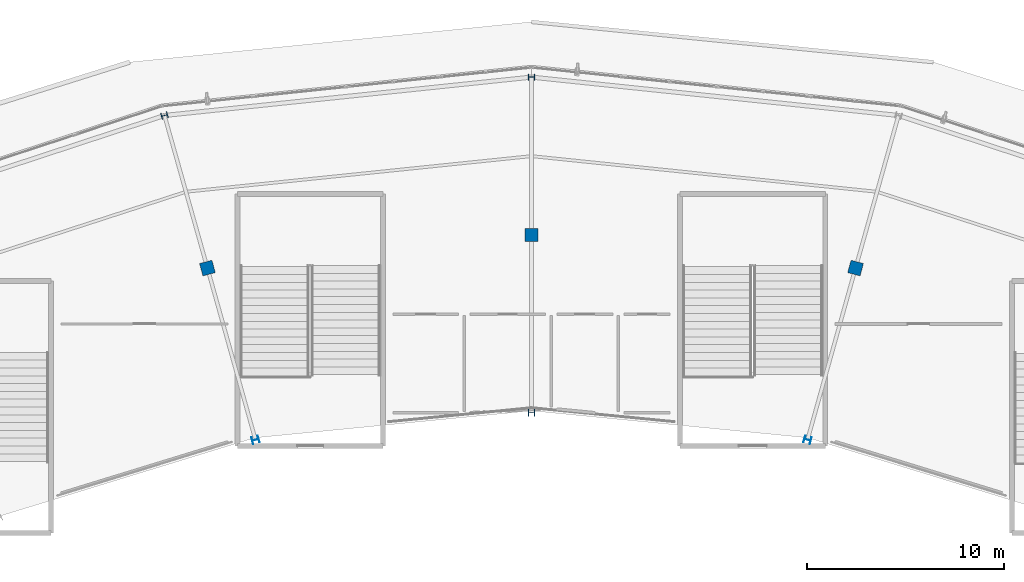
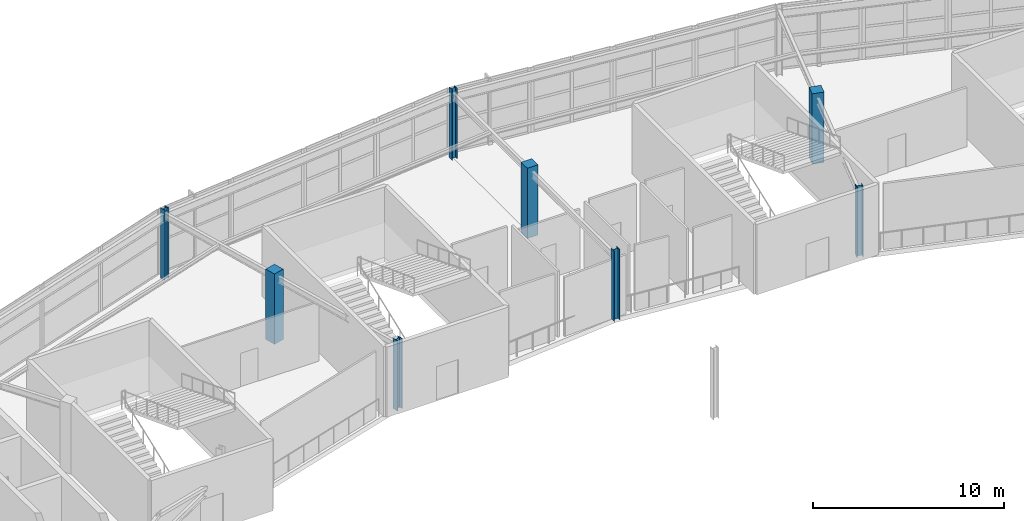
# One storey, part 8 of 126: 8 columns.
"""IFC4 building model written with IfcOpenShell, lengths in metres."""

from ifc_helpers import new_model, si_unit, direction, frame, origin, origin_2d, place, context, subcontext, project, spatial, rectangle, i_section, extrude, material, material_profile, profile_set, type_object, element, save


model = new_model("IFC4")

# Units and contexts
model_context = context("Model", 3, precision=1e-05, world=origin(), true_north=direction((0.0, 1.0)))
body_context = subcontext(model_context, "Body", "Model", "MODEL_VIEW")
ifc_project = project(units=[si_unit("LENGTHUNIT", "METRE"), si_unit("AREAUNIT", "SQUARE_METRE"), si_unit("VOLUMEUNIT", "CUBIC_METRE"), si_unit("PLANEANGLEUNIT", "RADIAN"), si_unit("MASSUNIT", "GRAM", prefix="KILO")], contexts=[model_context])

# Site, building, storey
site_placement = place(None, origin())
site = spatial("IfcSite", under=ifc_project, at=site_placement, CompositionType="ELEMENT")
building_placement = place(site_placement, origin())
building = spatial("IfcBuilding", under=site, at=building_placement, Name="Kalgoora Escarpment Arena", CompositionType="ELEMENT")
storey_placement = place(building_placement, frame((0.0, 0.0, 18.89990234375)))
storey = spatial("IfcBuildingStorey", under=building, at=storey_placement, Name="L04", CompositionType="ELEMENT", Elevation=18.89990234375)

# Columns
ifc_material_1 = material(Name="Structural steel AS/NZS 3679 (300 MPa)", Category="steel")
ifc_material_profile_1 = material_profile(ifc_material_1, i_section(OverallWidth=0.31103515625, OverallDepth=0.326904296875, WebThickness=0.015625, FlangeThickness=0.02490234375, at=origin_2d()))
ifc_profile_set_1 = profile_set([ifc_material_profile_1], Name="Structural steel AS/NZS 3679 (300 MPa)")
column_type_1 = type_object("IfcColumnType", Name="COL-COL-310UC158", PredefinedType="COLUMN", material=ifc_profile_set_1)
for number, where, z_axis, x_axis, name in (
    (1, (92.39990234375, 121.0, 0.0), (0.0, 0.0, 1.0), (0.0, 1.0, 0.0), "L04 structural column COL-RCONC2-R07"),
    (2, (73.81689453125, 119.057861328125, 0.0), (0.0, 0.0, 1.0), (-0.258819045103, 0.965925826289, 0.0), "L04 structural column COL-RCONC2-R08"),
):
    element("IfcColumn", number, at=place(storey_placement, frame(where, z_axis=z_axis, x_axis=x_axis)), inside=storey, type_object=column_type_1, Name=name, PredefinedType="COLUMN", context=body_context, shape_type="SweptSolid", body=[
        extrude(i_section(OverallWidth=0.31103515625, OverallDepth=0.326904296875, WebThickness=0.015625, FlangeThickness=0.02490234375, at=origin_2d()), origin(), (0.0, 0.0, 1.0), 4.5),
    ])
ifc_material_2 = material(Name="Structural steel Grade 350 (350 MPa)", Category="steel")
ifc_material_profile_2 = material_profile(ifc_material_2, i_section(OverallWidth=0.35009765625, OverallDepth=0.35009765625, WebThickness=0.013916015625, FlangeThickness=0.02392578125, at=origin_2d()))
ifc_profile_set_2 = profile_set([ifc_material_profile_2], Name="Structural steel Grade 350 (350 MPa)")
column_type_2 = type_object("IfcColumnType", Name="COL-COL-350WC197", PredefinedType="COLUMN", material=ifc_profile_set_2)
for number, where, z_axis, x_axis, name in (
    (3, (106.376220703125, 102.636962890625, 0.0), (0.0, 0.0, 1.0), (0.258819045103, 0.965925826289, 0.0), "L04 structural column COL-RMAIN-R06"),
    (4, (92.39990234375, 104.0, 0.0), (0.0, 0.0, 1.0), (0.0, 1.0, 0.0), "L04 structural column COL-RMAIN-R07"),
    (5, (78.423828125, 102.636962890625, 0.0), (0.0, 0.0, 1.0), (-0.258819045103, 0.965925826289, 0.0), "L04 structural column COL-RMAIN-R08"),
):
    element("IfcColumn", number, at=place(storey_placement, frame(where, z_axis=z_axis, x_axis=x_axis)), inside=storey, type_object=column_type_2, Name=name, PredefinedType="COLUMN", context=body_context, shape_type="SweptSolid", body=[
        extrude(i_section(OverallWidth=0.35009765625, OverallDepth=0.35009765625, WebThickness=0.013916015625, FlangeThickness=0.02392578125, at=origin_2d()), origin(), (0.0, 0.0, 1.0), 4.5),
    ])
ifc_material_3 = material(Name="Concrete N50 (fc' 50 MPa)", Category="concrete")
ifc_material_profile_3 = material_profile(ifc_material_3, rectangle(XDim=0.64990234375, YDim=0.64990234375, at=origin_2d()))
ifc_profile_set_3 = profile_set([ifc_material_profile_3], Name="Concrete N50 (fc' 50 MPa)")
column_type_3 = type_object("IfcColumnType", Name="COL-COL-RC650x650", PredefinedType="COLUMN", material=ifc_profile_set_3)
for number, where, z_axis, x_axis, name in (
    (6, (108.80908203125, 111.330322265625, 0.0), (0.0, 0.0, 1.0), (0.258819045103, 0.965925826289, 0.0), "L04 structural column COL-RCONC1-R06"),
    (7, (92.39990234375, 113.0, 0.0), (0.0, 0.0, 1.0), (0.0, 1.0, 0.0), "L04 structural column COL-RCONC1-R07"),
    (8, (75.990966796875, 111.330322265625, 0.0), (0.0, 0.0, 1.0), (-0.258819045103, 0.965925826289, 0.0), "L04 structural column COL-RCONC1-R08"),
):
    element("IfcColumn", number, at=place(storey_placement, frame(where, z_axis=z_axis, x_axis=x_axis)), inside=storey, type_object=column_type_3, Name=name, PredefinedType="COLUMN", context=body_context, shape_type="SweptSolid", body=[
        extrude(rectangle(XDim=0.64990234375, YDim=0.64990234375, at=origin_2d()), origin(), (0.0, 0.0, 1.0), 4.5),
    ])

save(model, "model.ifc")
